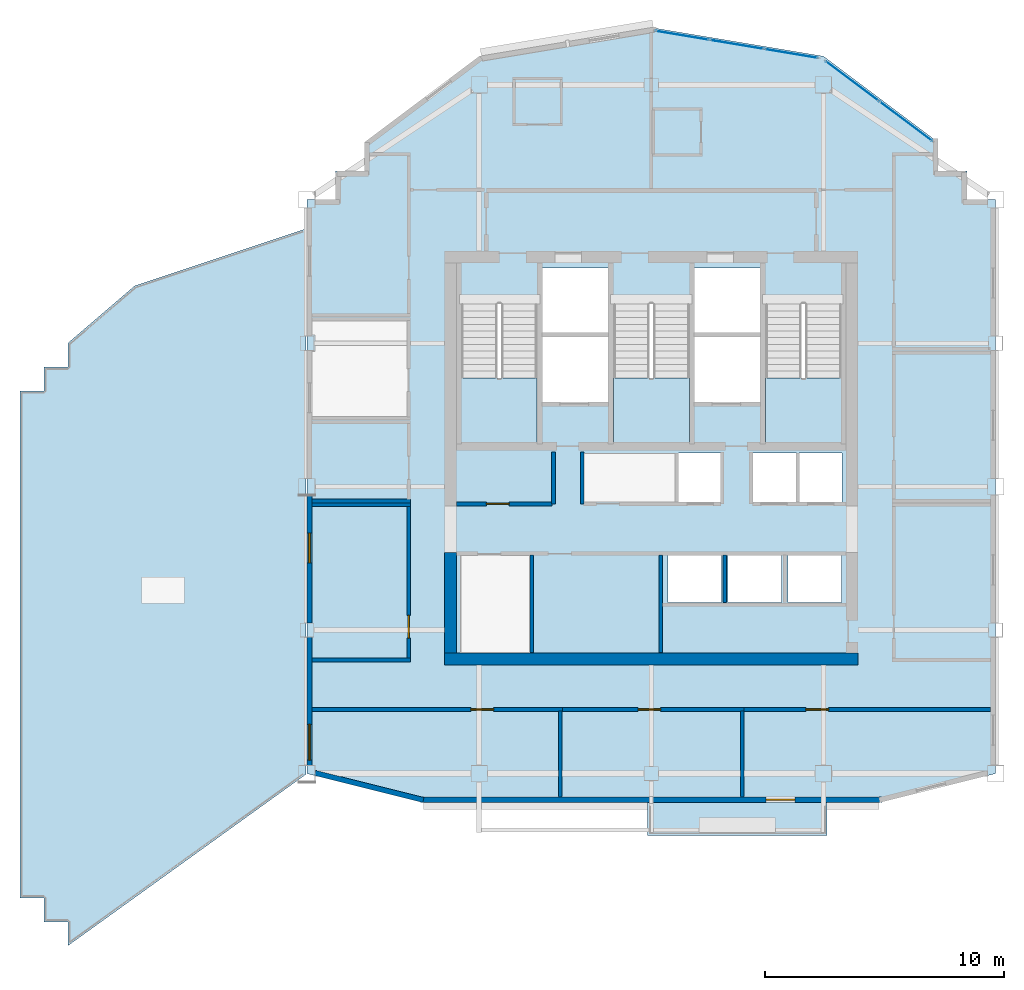
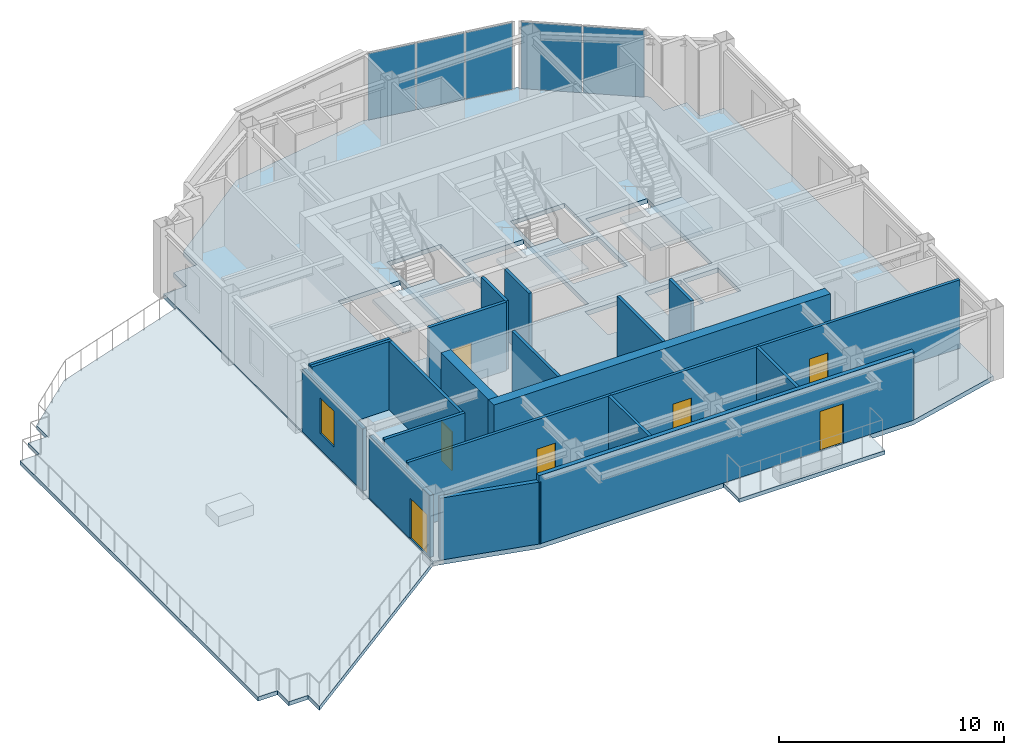
# One storey, part 7 of 12: 21 walls, 7 doors, 6 slabs, 5 plates, 1 window, 8 openings, 5 elements without a shape of their own.
"""IFC4 building model written with IfcOpenShell, lengths in metres."""

from ifc_helpers import new_model, si_unit, direction, frame, frame_2d, origin, origin_2d, place, context, subcontext, project, spatial, polyline, rectangle, outline, extrude, material, layer, layer_set, type_object, element, fill, aggregate, save


model = new_model("IFC4")

# Units and contexts
model_context = context("Model", 3, precision=1e-05, world=origin(), true_north=direction((0.0, 1.0)))
body_context = subcontext(model_context, "Body", "Model", "MODEL_VIEW")
ifc_project = project(units=[si_unit("LENGTHUNIT", "METRE"), si_unit("AREAUNIT", "SQUARE_METRE"), si_unit("VOLUMEUNIT", "CUBIC_METRE"), si_unit("PLANEANGLEUNIT", "RADIAN"), si_unit("MASSUNIT", "GRAM", prefix="KILO")], contexts=[model_context])

# Site, building, storey
site_placement = place(None, origin())
site = spatial("IfcSite", under=ifc_project, at=site_placement, CompositionType="ELEMENT")
building_placement = place(site_placement, origin())
building = spatial("IfcBuilding", under=site, at=building_placement, Name="Haolan Belvedere Tower", CompositionType="ELEMENT")
storey_placement = place(building_placement, frame((0.0, 0.0, 282.199951171875)))
storey = spatial("IfcBuildingStorey", under=building, at=storey_placement, Name="L71", CompositionType="ELEMENT", Elevation=282.199951171875)

# Curtain wall, plates
ifc_material_1 = material(Name="Anodised champagne-silver aluminium 6063-T6 and Low-E glass", Category="aluminium")
ifc_layer_1 = layer(ifc_material_1, 0.14501953125, Name="Anodised champagne-silver aluminium 6063-T6 and Low-E glass")
ifc_layer_set_1 = layer_set([ifc_layer_1], Name="Anodised champagne-silver aluminium 6063-T6 and Low-E glass")
curtain_wall_type = type_object("IfcCurtainWallType", Name="CW-SYS-05", PredefinedType="NOTDEFINED", material=ifc_layer_set_1)
curtain_wall_1_placement = place(storey_placement, origin())
curtain_wall_1 = element("IfcCurtainWall", 1, at=curtain_wall_1_placement, inside=storey, type_object=curtain_wall_type, Name="L71 CW-SYS-05 ribbon curtain wall 8.1", PredefinedType="NOTDEFINED")
ifc_material_2 = material(Name="Double silver Low-E laminated insulating glass", Category="glass")
ifc_layer_2 = layer(ifc_material_2, 0.02197265625, Name="Double silver Low-E laminated insulating glass")
ifc_layer_set_2 = layer_set([ifc_layer_2], Name="Double silver Low-E laminated insulating glass")
plate_type = type_object("IfcPlateType", Name="CW-SYS-05-PNL", PredefinedType="CURTAIN_PANEL", material=ifc_layer_set_2)
plate_1_placement = place(storey_placement, frame((49.03955078125, 48.8828125, 0.050048828125), z_axis=(0.0, 0.0, 1.0), x_axis=(-0.799997871638, 0.600002837806, 0.0)))
plate_1 = element("IfcPlate", 2, at=plate_1_placement, type_object=plate_type, Name="CW-05 panel 1.1", PredefinedType="CURTAIN_PANEL", context=body_context, shape_type="SweptSolid", body=[
    extrude(rectangle(XDim=2.738037109375, YDim=0.02197265625, at=origin_2d()), origin(), (0.0, 0.0, 1.0), 3.6201171875),
])
plate_2_placement = place(storey_placement, frame((46.805908203125, 50.55810546875, 0.050048828125), z_axis=(0.0, 0.0, 1.0), x_axis=(-0.799997871638, 0.600002837806, 0.0)))
plate_2 = element("IfcPlate", 3, at=plate_2_placement, type_object=plate_type, Name="CW-05 panel 2.1", PredefinedType="CURTAIN_PANEL", context=body_context, shape_type="SweptSolid", body=[
    extrude(rectangle(XDim=2.738037109375, YDim=0.02197265625, at=origin_2d()), origin(), (0.0, 0.0, 1.0), 3.6201171875),
])
aggregate(curtain_wall_1, [plate_1, plate_2])

curtain_wall_2_placement = place(storey_placement, origin())
curtain_wall_2 = element("IfcCurtainWall", 4, at=curtain_wall_2_placement, inside=storey, type_object=curtain_wall_type, Name="L71 CW-SYS-05 ribbon curtain wall 9.1", PredefinedType="NOTDEFINED")
plate_3_placement = place(storey_placement, frame((44.257568359375, 51.712158203125, 0.050048828125), z_axis=(0.0, 0.0, 1.0), x_axis=(-0.98639276122, 0.164405962825, 0.0)))
plate_3 = element("IfcPlate", 5, at=plate_3_placement, type_object=plate_type, Name="CW-05 panel 1.1", PredefinedType="CURTAIN_PANEL", context=body_context, shape_type="SweptSolid", body=[
    extrude(rectangle(XDim=2.24365234375, YDim=0.02197265625, at=origin_2d()), origin(), (0.0, 0.0, 1.0), 3.6201171875),
])
plate_4_placement = place(storey_placement, frame((41.977783203125, 52.09228515625, 0.050048828125), z_axis=(0.0, 0.0, 1.0), x_axis=(-0.98639276122, 0.164405962825, 0.0)))
plate_4 = element("IfcPlate", 6, at=plate_4_placement, type_object=plate_type, Name="CW-05 panel 2.1", PredefinedType="CURTAIN_PANEL", context=body_context, shape_type="SweptSolid", body=[
    extrude(rectangle(XDim=2.270751953125, YDim=0.02197265625, at=origin_2d()), origin(), (0.0, 0.0, 1.0), 3.6201171875),
])
plate_5_placement = place(storey_placement, frame((39.697998046875, 52.47216796875, 0.050048828125), z_axis=(0.0, 0.0, 1.0), x_axis=(-0.98639276122, 0.164405962825, 0.0)))
plate_5 = element("IfcPlate", 7, at=plate_5_placement, type_object=plate_type, Name="CW-05 panel 3.1", PredefinedType="CURTAIN_PANEL", context=body_context, shape_type="SweptSolid", body=[
    extrude(rectangle(XDim=2.24365234375, YDim=0.02197265625, at=origin_2d()), origin(), (0.0, 0.0, 1.0), 3.6201171875),
])
aggregate(curtain_wall_2, [plate_3, plate_4, plate_5])

# Slabs
ifc_material_3 = material(Name="Concrete C40/50", Category="concrete")
ifc_layer_3 = layer(ifc_material_3, 0.2099609375, Name="Concrete C40/50")
ifc_layer_set_3 = layer_set([ifc_layer_3], Name="Concrete C40/50")
slab_type_1 = type_object("IfcSlabType", Name="SL-BAL-210", PredefinedType="FLOOR", material=ifc_layer_set_3)
slab_1_placement = place(storey_placement, frame((0.0, 0.0, -0.22998046875)))
element("IfcSlab", 8, at=slab_1_placement, inside=storey, type_object=slab_type_1, Name="L71 structural tree-planter balcony slab BAL-L71-S1", PredefinedType="FLOOR", context=body_context, shape_type="SweptSolid", body=[
    extrude(outline(polyline([(38.25, 19.02001953125), (45.75, 19.02001953125), (45.75, 20.39990234375), (38.25, 20.39990234375), (38.25, 19.02001953125)])), origin(), (0.0, 0.0, 1.0), 0.2099609375),
])
ifc_layer_4 = layer(ifc_material_3, 0.25, Name="Concrete C40/50")
ifc_layer_set_4 = layer_set([ifc_layer_4], Name="Concrete C40/50")
slab_type_2 = type_object("IfcSlabType", Name="SL-FLR-250", PredefinedType="FLOOR", material=ifc_layer_set_4)
slab_2_placement = place(storey_placement, frame((0.0, 0.0, -0.25)))
element("IfcSlab", 9, at=slab_2_placement, inside=storey, type_object=slab_type_2, Name="L71 structural floor slab", PredefinedType="FLOOR", context=body_context, shape_type="SweptSolid", body=[
    extrude(outline(polyline([(24.0, 21.60009765625), (28.800048828125, 20.39990234375), (48.0, 20.39990234375), (52.800048828125, 21.60009765625), (52.800048828125, 45.60009765625), (52.800048828125, 45.60009765625), (51.60009765625, 45.60009765625), (51.60009765625, 46.800048828125), (50.39990234375, 46.800048828125), (50.39990234375, 48.0), (45.60009765625, 51.60009765625), (38.39990234375, 52.800048828125), (31.199951171875, 51.60009765625), (26.39990234375, 48.0), (26.39990234375, 46.800048828125), (25.199951171875, 46.800048828125), (25.199951171875, 45.60009765625), (24.0, 45.60009765625), (24.0, 45.60009765625), (24.0, 21.60009765625)]), holes=[polyline([(30.449951171875, 41.22998046875), (30.449951171875, 35.449951171875), (33.6298828125, 35.449951171875), (33.6298828125, 41.22998046875), (30.449951171875, 41.22998046875)]), polyline([(36.81005859375, 41.22998046875), (36.81005859375, 35.449951171875), (39.989990234375, 35.449951171875), (39.989990234375, 41.22998046875), (36.81005859375, 41.22998046875)]), polyline([(43.169921875, 41.22998046875), (43.169921875, 35.449951171875), (46.35009765625, 35.449951171875), (46.35009765625, 41.22998046875), (43.169921875, 41.22998046875)]), polyline([(33.830078125, 40.050048828125), (36.610107421875, 40.050048828125), (36.610107421875, 42.75), (33.830078125, 42.75), (33.830078125, 40.050048828125)]), polyline([(33.830078125, 37.14990234375), (36.610107421875, 37.14990234375), (36.610107421875, 39.85009765625), (33.830078125, 39.85009765625), (33.830078125, 37.14990234375)]), polyline([(40.18994140625, 40.050048828125), (42.969970703125, 40.050048828125), (42.969970703125, 42.75), (40.18994140625, 42.75), (40.18994140625, 40.050048828125)]), polyline([(40.18994140625, 37.14990234375), (42.969970703125, 37.14990234375), (42.969970703125, 39.85009765625), (40.18994140625, 39.85009765625), (40.18994140625, 37.14990234375)]), polyline([(39.5400390625, 32.949951171875), (41.389892578125, 32.949951171875), (41.389892578125, 35.0), (39.5400390625, 35.0), (39.5400390625, 32.949951171875)]), polyline([(42.6201171875, 32.949951171875), (44.469970703125, 32.949951171875), (44.469970703125, 35.0), (42.6201171875, 35.0), (42.6201171875, 32.949951171875)]), polyline([(44.580078125, 32.949951171875), (46.3798828125, 32.949951171875), (46.3798828125, 35.0), (44.580078125, 35.0), (44.580078125, 32.949951171875)]), polyline([(39.10009765625, 28.75), (41.340087890625, 28.75), (41.340087890625, 30.75), (39.10009765625, 30.75), (39.10009765625, 28.75)]), polyline([(41.610107421875, 28.75), (43.85009765625, 28.75), (43.85009765625, 30.75), (41.610107421875, 30.75), (41.610107421875, 28.75)]), polyline([(44.1201171875, 28.75), (46.360107421875, 28.75), (46.360107421875, 30.75), (44.1201171875, 30.75), (44.1201171875, 28.75)])]), origin(), (0.0, 0.0, 1.0), 0.25),
])

# Stair, slab
stair_type = type_object("IfcStairType", Name="STR-DL-24R-163", PredefinedType="HALF_TURN_STAIR", material=ifc_material_3)
stair_1_placement = place(storey_placement, origin())
stair_1 = element("IfcStair", 10, at=stair_1_placement, inside=storey, type_object=stair_type, Name="L71 Smokeproof Core Exit Stair ST1", PredefinedType="HALF_TURN_STAIR")
ifc_layer_5 = layer(ifc_material_3, 0.199951171875, Name="Concrete C40/50")
ifc_layer_set_5 = layer_set([ifc_layer_5], Name="Concrete C40/50")
slab_type_3 = type_object("IfcSlabType", Name="SL-LAND-200", PredefinedType="LANDING", material=ifc_layer_set_5)
slab_3_placement = place(storey_placement, frame((0.0, 0.0, 1.75)))
slab_3 = element("IfcSlab", 11, at=slab_3_placement, type_object=slab_type_3, Name="ST1 landing 1", PredefinedType="LANDING", context=body_context, shape_type="SweptSolid", body=[
    extrude(outline(polyline([(30.449951171875, 38.14990234375), (30.449951171875, 35.449951171875), (33.6298828125, 35.449951171875), (33.6298828125, 38.14990234375), (30.449951171875, 38.14990234375)])), origin(), (0.0, 0.0, 1.0), 0.199951171875),
])
aggregate(stair_1, [slab_3])

stair_2_placement = place(storey_placement, origin())
stair_2 = element("IfcStair", 12, at=stair_2_placement, inside=storey, type_object=stair_type, Name="L71 Smokeproof Core Exit Stair ST3", PredefinedType="HALF_TURN_STAIR")
slab_4_placement = place(storey_placement, frame((0.0, 0.0, 1.75)))
slab_4 = element("IfcSlab", 13, at=slab_4_placement, type_object=slab_type_3, Name="ST3 landing 1", PredefinedType="LANDING", context=body_context, shape_type="SweptSolid", body=[
    extrude(outline(polyline([(36.81005859375, 38.14990234375), (36.81005859375, 35.449951171875), (39.989990234375, 35.449951171875), (39.989990234375, 38.14990234375), (36.81005859375, 38.14990234375)])), origin(), (0.0, 0.0, 1.0), 0.199951171875),
])
aggregate(stair_2, [slab_4])

stair_3_placement = place(storey_placement, origin())
stair_3 = element("IfcStair", 14, at=stair_3_placement, inside=storey, type_object=stair_type, Name="L71 Smokeproof Core Exit Stair ST2", PredefinedType="HALF_TURN_STAIR")
slab_5_placement = place(storey_placement, frame((0.0, 0.0, 1.75)))
slab_5 = element("IfcSlab", 15, at=slab_5_placement, type_object=slab_type_3, Name="ST2 landing 1", PredefinedType="LANDING", context=body_context, shape_type="SweptSolid", body=[
    extrude(outline(polyline([(43.169921875, 38.14990234375), (43.169921875, 35.449951171875), (46.35009765625, 35.449951171875), (46.35009765625, 38.14990234375), (43.169921875, 38.14990234375)])), origin(), (0.0, 0.0, 1.0), 0.199951171875),
])
aggregate(stair_3, [slab_5])

# Slab
ifc_layer_6 = layer(ifc_material_3, 0.219970703125, Name="Concrete C40/50")
ifc_layer_set_6 = layer_set([ifc_layer_6], Name="Concrete C40/50")
slab_type_4 = type_object("IfcSlabType", Name="SL-TER-220", PredefinedType="FLOOR", material=ifc_layer_set_6)
slab_6_placement = place(storey_placement, frame((0.0, 0.0, -0.239990234375)))
element("IfcSlab", 16, at=slab_6_placement, inside=storey, type_object=slab_type_4, Name="L71 planted garden terrace slab 1", PredefinedType="FLOOR", context=body_context, shape_type="SweptSolid", body=[
    extrude(outline(polyline([(13.0, 16.396240234375), (13.0, 15.39990234375), (13.996337890625, 15.39990234375), (13.999755859375, 15.39990234375), (14.0, 15.396240234375), (14.0, 14.39990234375), (23.949951171875, 21.56396484375), (23.949951171875, 44.38330078125), (16.800048828125, 42.0), (14.0, 39.60009765625), (14.0, 38.603759765625), (13.999755859375, 38.60009765625), (13.996337890625, 38.60009765625), (13.0, 38.60009765625), (13.0, 37.603759765625), (12.999755859375, 37.60009765625), (12.996337890625, 37.60009765625), (12.0, 37.60009765625), (12.0, 16.39990234375), (12.996337890625, 16.39990234375), (12.999755859375, 16.39990234375), (13.0, 16.396240234375)])), origin(), (0.0, 0.0, 1.0), 0.219970703125),
])

# Walls
ifc_material_4 = material(Name="Concrete C50/60", Category="concrete")
ifc_layer_7 = layer(ifc_material_4, 0.5, Name="Concrete C50/60")
ifc_layer_set_7 = layer_set([ifc_layer_7], Name="Concrete C50/60")
wall_type_1 = type_object("IfcWallType", Name="WL-CORE-500", PredefinedType="SHEAR", material=ifc_layer_set_7)
wall_1_placement = place(storey_placement, frame((29.75, 26.39990234375, 0.0), z_axis=(0.0, 0.0, 1.0), x_axis=(1.0, 0.0, 0.0)))
element("IfcWall", 17, at=wall_1_placement, inside=storey, type_object=wall_type_1, Name="L71 central core south shear wall", PredefinedType="SHEAR", context=body_context, shape_type="SweptSolid", body=[
    extrude(rectangle(XDim=17.300048828125, YDim=0.5, at=frame_2d((8.64990234375, 0.0))), origin(), (0.0, 0.0, 1.0), 3.719970703125),
])
wall_2_placement = place(storey_placement, frame((30.0, 26.64990234375, 0.0), z_axis=(0.0, 0.0, 1.0), x_axis=(0.0, 1.0, 0.0)))
element("IfcWall", 18, at=wall_2_placement, inside=storey, type_object=wall_type_1, Name="L71 central core shear wall WS", PredefinedType="SHEAR", context=body_context, shape_type="SweptSolid", body=[
    extrude(rectangle(XDim=4.2001953125, YDim=0.5, at=frame_2d((2.10009765625, 0.0))), origin(), (0.0, 0.0, 1.0), 3.719970703125),
])

# Wall, opening, door
ifc_material_5 = material(Name="Precast concrete C40/50", Category="concrete")
ifc_layer_8 = layer(ifc_material_5, 0.219970703125, Name="Precast concrete C40/50")
ifc_layer_set_8 = layer_set([ifc_layer_8], Name="Precast concrete C40/50")
wall_type_2 = type_object("IfcWallType", Name="WL-EXT-220", PredefinedType="SOLIDWALL", material=ifc_layer_set_8)
wall_3_placement = place(storey_placement, frame((28.758544921875, 20.510009765625, 0.0), z_axis=(0.0, 0.0, 1.0), x_axis=(1.0, 0.0, 0.0)))
wall_3 = element("IfcWall", 19, at=wall_3_placement, inside=storey, type_object=wall_type_2, Name="L71 pale-metal exterior spandrel wall 1.1", PredefinedType="SOLIDWALL", context=body_context, shape_type="SweptSolid", body=[
    extrude(rectangle(XDim=19.282958984375, YDim=0.219970703125, at=frame_2d((9.6416015625, 0.0))), origin(), (0.0, 0.0, 1.0), 3.719970703125),
])
opening_1_placement = place(wall_3_placement, frame((15.641357421875, 0.0, 0.0), z_axis=(0.0, 0.0, 1.0), x_axis=(-1.0, 0.0, 0.0)))
opening_1 = element("IfcOpeningElement", 20, at=opening_1_placement, cuts=wall_3, Name="Opening BD-01", PredefinedType="OPENING", context=body_context, shape_type="SweptSolid", body=[
    extrude(rectangle(XDim=1.199951171875, YDim=2.14990234375, at=frame_2d((0.60009765625, 1.074951171875))), frame((0.0, 0.119873046875, 0.0), z_axis=(0.0, -1.0, 0.0), x_axis=(1.0, 0.0, 0.0)), (0.0, 0.0, 1.0), 0.239990234375),
])
ifc_material_6 = material(Name="Thermally broken pale-metal aluminium and Low-E glass", Category="aluminium")
door_type_1 = type_object("IfcDoorType", Name="DR-BAL-1200", OperationType="NOTDEFINED", PredefinedType="DOOR", material=ifc_material_6)
door_1_placement = place(opening_1_placement, origin())
door_1 = element("IfcDoor", 21, at=door_1_placement, inside=storey, type_object=door_type_1, Name="L71 tree-balcony access door 1", OperationType="SINGLE_SWING_LEFT", OverallHeight=2.14990234375, OverallWidth=1.199951171875, PredefinedType="DOOR", context=body_context, shape_type="SweptSolid", body=[
    extrude(rectangle(XDim=1.199951171875, YDim=2.14990234375, at=frame_2d((0.60009765625, 1.074951171875))), frame((0.0, 0.02490234375, 0.0), z_axis=(0.0, -1.0, 0.0), x_axis=(1.0, 0.0, 0.0)), (0.0, 0.0, 1.0), 0.050048828125),
])
fill(opening_1, door_1)

# Wall, opening, window
wall_4_placement = place(storey_placement, frame((24.110107421875, 33.258056640625, 0.0), z_axis=(0.0, 0.0, 1.0), x_axis=(0.0, -1.0, 0.0)))
wall_4 = element("IfcWall", 22, at=wall_4_placement, inside=storey, type_object=wall_type_2, Name="L71 pale-metal exterior spandrel wall 16.3", PredefinedType="SOLIDWALL", context=body_context, shape_type="SweptSolid", body=[
    extrude(rectangle(XDim=5.365966796875, YDim=0.219970703125, at=frame_2d((2.68310546875, 0.0))), origin(), (0.0, 0.0, 1.0), 3.364990234375),
])
opening_2_placement = place(wall_4_placement, frame((1.60009765625, 0.0, 0.85009765625)))
opening_2 = element("IfcOpeningElement", 23, at=opening_2_placement, cuts=wall_4, Name="Opening W-04", PredefinedType="OPENING", context=body_context, shape_type="SweptSolid", body=[
    extrude(rectangle(XDim=1.25, YDim=1.949951171875, at=frame_2d((0.625, 0.97509765625))), frame((0.0, 0.119873046875, 0.0), z_axis=(0.0, -1.0, 0.0), x_axis=(1.0, 0.0, 0.0)), (0.0, 0.0, 1.0), 0.239990234375),
])
ifc_material_7 = material(Name="Anodised aluminium 6063-T6 and Low-E glass", Category="aluminium")
window_type = type_object("IfcWindowType", Name="WN-DECO-Z4", PartitioningType="SINGLE_PANEL", PredefinedType="WINDOW", material=ifc_material_7)
window_placement = place(opening_2_placement, origin())
window = element("IfcWindow", 24, at=window_placement, inside=storey, type_object=window_type, Name="L71 Art Deco chevron window 1", OverallHeight=1.949951171875, OverallWidth=1.25, PartitioningType="SINGLE_PANEL", PredefinedType="WINDOW", context=body_context, shape_type="SweptSolid", body=[
    extrude(rectangle(XDim=1.25, YDim=1.949951171875, at=frame_2d((0.625, 0.97509765625))), frame((0.0, 0.030029296875, 0.0), z_axis=(0.0, -1.0, 0.0), x_axis=(1.0, 0.0, 0.0)), (0.0, 0.0, 1.0), 0.06005859375),
])
fill(opening_2, window)

# Wall, opening, door
wall_5_placement = place(storey_placement, frame((24.110107421875, 27.30810546875, 0.0), z_axis=(0.0, 0.0, 1.0), x_axis=(0.0, -1.0, 0.0)))
wall_5 = element("IfcWall", 25, at=wall_5_placement, inside=storey, type_object=wall_type_2, Name="L71 pale-metal exterior spandrel wall 16.4", PredefinedType="SOLIDWALL", context=body_context, shape_type="SweptSolid", body=[
    extrude(rectangle(XDim=5.3662109375, YDim=0.219970703125, at=frame_2d((2.68310546875, 0.0))), origin(), (0.0, 0.0, 1.0), 3.364990234375),
])
opening_3_placement = place(wall_5_placement, frame((5.14599609375, 0.0, 0.0), z_axis=(0.0, 0.0, 1.0), x_axis=(-1.0, 0.0, 0.0)))
opening_3 = element("IfcOpeningElement", 26, at=opening_3_placement, cuts=wall_5, Name="Opening TD-01", PredefinedType="OPENING", context=body_context, shape_type="SweptSolid", body=[
    extrude(rectangle(XDim=1.5, YDim=2.199951171875, at=frame_2d((0.75, 1.10009765625))), frame((0.0, 0.119873046875, 0.0), z_axis=(0.0, -1.0, 0.0), x_axis=(1.0, 0.0, 0.0)), (0.0, 0.0, 1.0), 0.239990234375),
])
door_type_2 = type_object("IfcDoorType", Name="DR-TER-1500", OperationType="DOUBLE_DOOR_SINGLE_SWING", PredefinedType="DOOR", material=ifc_material_6)
door_2_placement = place(opening_3_placement, origin())
door_2 = element("IfcDoor", 27, at=door_2_placement, inside=storey, type_object=door_type_2, Name="L71 garden terrace access door 1", OperationType="DOUBLE_DOOR_SINGLE_SWING", OverallHeight=2.199951171875, OverallWidth=1.5, PredefinedType="DOOR", context=body_context, shape_type="SweptSolid", body=[
    extrude(rectangle(XDim=1.5, YDim=2.199951171875, at=frame_2d((0.75, 1.10009765625))), frame((0.0, 0.02490234375, 0.0), z_axis=(0.0, -1.0, 0.0), x_axis=(1.0, 0.0, 0.0)), (0.0, 0.0, 1.0), 0.050048828125),
])
fill(opening_3, door_2)

# Walls
wall_6_placement = place(storey_placement, frame((24.342041015625, 21.6279296875, 0.0), z_axis=(0.0, 0.0, 1.0), x_axis=(0.970136341762, -0.242560257242, 0.0)))
element("IfcWall", 28, at=wall_6_placement, inside=storey, type_object=wall_type_2, Name="L71 pale-metal exterior spandrel wall 17.1", PredefinedType="SOLIDWALL", context=body_context, shape_type="SweptSolid", body=[
    extrude(rectangle(XDim=4.664306640625, YDim=0.219970703125, at=frame_2d((2.33203125, 0.0))), origin(), (0.0, 0.0, 1.0), 3.364990234375),
])
ifc_material_8 = material(Name="Double gypsum acoustic stud partition", Category="masonry")
ifc_layer_9 = layer(ifc_material_8, 0.14990234375, Name="Double gypsum acoustic stud partition")
ifc_layer_set_9 = layer_set([ifc_layer_9], Name="Double gypsum acoustic stud partition")
wall_type_3 = type_object("IfcWallType", Name="WL-PART-150", PredefinedType="PARTITIONING", material=ifc_layer_set_9)
wall_7_placement = place(storey_placement, frame((33.39990234375, 26.659912109375, 0.0), z_axis=(0.0, 0.0, 1.0), x_axis=(0.0, 1.0, 0.0)))
element("IfcWall", 29, at=wall_7_placement, inside=storey, type_object=wall_type_3, Name="L71 interior partition IW-L71-DIV-REUSE-PM", PredefinedType="PARTITIONING", context=body_context, shape_type="SweptSolid", body=[
    extrude(rectangle(XDim=4.0751953125, YDim=0.14990234375, at=frame_2d((2.03759765625, 0.0))), origin(), (0.0, 0.0, 1.0), 3.719970703125),
])
for number, where, z_axis, x_axis, name in (
    (30, (24.2119140625, 33.0, 0.0), (0.0, 0.0, 1.0), (1.0, 0.0, 0.0), "L71 interior partition IW-L71-AWC-S"),
    (31, (24.2119140625, 32.840087890625, 0.0), (0.0, 0.0, 1.0), (1.0, 0.0, 0.0), "L71 interior partition IW-L71-PKTW-N"),
    (32, (24.2119140625, 26.35009765625, 0.0), (0.0, 0.0, 1.0), (1.0, 0.0, 0.0), "L71 interior partition IW-L71-PKTW-S"),
):
    element("IfcWall", number, at=place(storey_placement, frame(where, z_axis=z_axis, x_axis=x_axis)), inside=storey, type_object=wall_type_3, Name=name, PredefinedType="PARTITIONING", context=body_context, shape_type="SweptSolid", body=[
        extrude(rectangle(XDim=4.128173828125, YDim=0.14990234375, at=frame_2d((2.06396484375, 0.0))), origin(), (0.0, 0.0, 1.0), 3.719970703125),
    ])

# Wall, opening, door
wall_8_placement = place(storey_placement, frame((28.260009765625, 26.409912109375, 0.0), z_axis=(0.0, 0.0, 1.0), x_axis=(0.0, 1.0, 0.0)))
wall_8 = element("IfcWall", 33, at=wall_8_placement, inside=storey, type_object=wall_type_3, Name="L71 interior partition IW-L71-PKTW-E", PredefinedType="PARTITIONING", context=body_context, shape_type="SweptSolid", body=[
    extrude(rectangle(XDim=6.3701171875, YDim=0.14990234375, at=frame_2d((3.18505859375, 0.0))), origin(), (0.0, 0.0, 1.0), 3.719970703125),
])
opening_4_placement = place(wall_8_placement, frame((1.81005859375, 0.0, 0.0), z_axis=(0.0, 0.0, 1.0), x_axis=(-1.0, 0.0, 0.0)))
opening_4 = element("IfcOpeningElement", 34, at=opening_4_placement, cuts=wall_8, Name="Opening ID-03", PredefinedType="OPENING", context=body_context, shape_type="SweptSolid", body=[
    extrude(rectangle(XDim=0.949951171875, YDim=2.1201171875, at=frame_2d((0.47509765625, 1.06005859375))), frame((0.0, 0.0849609375, 0.0), z_axis=(0.0, -1.0, 0.0), x_axis=(1.0, 0.0, 0.0)), (0.0, 0.0, 1.0), 0.169921875),
])
ifc_material_9 = material(Name="Painted solid-core timber", Category="wood")
door_type_3 = type_object("IfcDoorType", Name="DR-INT-950", OperationType="NOTDEFINED", PredefinedType="DOOR", material=ifc_material_9)
door_3_placement = place(opening_4_placement, origin())
door_3 = element("IfcDoor", 35, at=door_3_placement, inside=storey, type_object=door_type_3, Name="L71 door ID-L71-PKTW", OperationType="SINGLE_SWING_LEFT", OverallHeight=2.1201171875, OverallWidth=0.949951171875, PredefinedType="DOOR", context=body_context, shape_type="SweptSolid", body=[
    extrude(rectangle(XDim=0.949951171875, YDim=2.1201171875, at=frame_2d((0.47509765625, 1.06005859375))), frame((0.0, 0.02490234375, 0.0), z_axis=(0.0, -1.0, 0.0), x_axis=(1.0, 0.0, 0.0)), (0.0, 0.0, 1.0), 0.050048828125),
])
fill(opening_4, door_3)

wall_9_placement = place(storey_placement, frame((24.2119140625, 24.280029296875, 0.0), z_axis=(0.0, 0.0, 1.0), x_axis=(1.0, 0.0, 0.0)))
wall_9 = element("IfcWall", 36, at=wall_9_placement, inside=storey, type_object=wall_type_3, Name="L71 interior partition IW-L71-KS1-N", PredefinedType="PARTITIONING", context=body_context, shape_type="SweptSolid", body=[
    extrude(rectangle(XDim=10.468017578125, YDim=0.14990234375, at=frame_2d((5.23388671875, 0.0))), origin(), (0.0, 0.0, 1.0), 3.719970703125),
])
opening_5_placement = place(wall_9_placement, frame((7.593017578125, 0.0, 0.0), z_axis=(0.0, 0.0, 1.0), x_axis=(-1.0, 0.0, 0.0)))
opening_5 = element("IfcOpeningElement", 37, at=opening_5_placement, cuts=wall_9, Name="Opening ID-03", PredefinedType="OPENING", context=body_context, shape_type="SweptSolid", body=[
    extrude(rectangle(XDim=0.949951171875, YDim=2.1201171875, at=frame_2d((0.47509765625, 1.06005859375))), frame((0.0, 0.0849609375, 0.0), z_axis=(0.0, -1.0, 0.0), x_axis=(1.0, 0.0, 0.0)), (0.0, 0.0, 1.0), 0.169921875),
])
door_4_placement = place(opening_5_placement, origin())
door_4 = element("IfcDoor", 38, at=door_4_placement, inside=storey, type_object=door_type_3, Name="L71 door ID-L71-KS1", OperationType="SINGLE_SWING_LEFT", OverallHeight=2.1201171875, OverallWidth=0.949951171875, PredefinedType="DOOR", context=body_context, shape_type="SweptSolid", body=[
    extrude(rectangle(XDim=0.949951171875, YDim=2.1201171875, at=frame_2d((0.47509765625, 1.06005859375))), frame((0.0, 0.02490234375, 0.0), z_axis=(0.0, -1.0, 0.0), x_axis=(1.0, 0.0, 0.0)), (0.0, 0.0, 1.0), 0.050048828125),
])
fill(opening_5, door_4)

# Wall
wall_10_placement = place(storey_placement, frame((34.60009765625, 20.612060546875, 0.0), z_axis=(0.0, 0.0, 1.0), x_axis=(0.0, 1.0, 0.0)))
element("IfcWall", 39, at=wall_10_placement, inside=storey, type_object=wall_type_3, Name="L71 interior partition IW-L71-KS1-E", PredefinedType="PARTITIONING", context=body_context, shape_type="SweptSolid", body=[
    extrude(rectangle(XDim=3.60791015625, YDim=0.14990234375, at=frame_2d((1.803955078125, 0.0))), origin(), (0.0, 0.0, 1.0), 3.719970703125),
])

# Wall, opening, door
wall_11_placement = place(storey_placement, frame((34.681884765625, 24.280029296875, 0.0), z_axis=(0.0, 0.0, 1.0), x_axis=(1.0, 0.0, 0.0)))
wall_11 = element("IfcWall", 40, at=wall_11_placement, inside=storey, type_object=wall_type_3, Name="L71 interior partition IW-L71-KS2-N", PredefinedType="PARTITIONING", context=body_context, shape_type="SweptSolid", body=[
    extrude(rectangle(XDim=7.59814453125, YDim=0.14990234375, at=frame_2d((3.799072265625, 0.0))), origin(), (0.0, 0.0, 1.0), 3.719970703125),
])
opening_6_placement = place(wall_11_placement, frame((4.113037109375, 0.0, 0.0), z_axis=(0.0, 0.0, 1.0), x_axis=(-1.0, 0.0, 0.0)))
opening_6 = element("IfcOpeningElement", 41, at=opening_6_placement, cuts=wall_11, Name="Opening ID-03", PredefinedType="OPENING", context=body_context, shape_type="SweptSolid", body=[
    extrude(rectangle(XDim=0.949951171875, YDim=2.1201171875, at=frame_2d((0.47509765625, 1.06005859375))), frame((0.0, 0.0849609375, 0.0), z_axis=(0.0, -1.0, 0.0), x_axis=(1.0, 0.0, 0.0)), (0.0, 0.0, 1.0), 0.169921875),
])
door_5_placement = place(opening_6_placement, origin())
door_5 = element("IfcDoor", 42, at=door_5_placement, inside=storey, type_object=door_type_3, Name="L71 door ID-L71-KS2", OperationType="SINGLE_SWING_RIGHT", OverallHeight=2.1201171875, OverallWidth=0.949951171875, PredefinedType="DOOR", context=body_context, shape_type="SweptSolid", body=[
    extrude(rectangle(XDim=0.949951171875, YDim=2.1201171875, at=frame_2d((0.47509765625, 1.06005859375))), frame((0.0, 0.02490234375, 0.0), z_axis=(0.0, -1.0, 0.0), x_axis=(1.0, 0.0, 0.0)), (0.0, 0.0, 1.0), 0.050048828125),
])
fill(opening_6, door_5)

# Wall
wall_12_placement = place(storey_placement, frame((42.199951171875, 20.612060546875, 0.0), z_axis=(0.0, 0.0, 1.0), x_axis=(0.0, 1.0, 0.0)))
element("IfcWall", 43, at=wall_12_placement, inside=storey, type_object=wall_type_3, Name="L71 interior partition IW-L71-KS2-E", PredefinedType="PARTITIONING", context=body_context, shape_type="SweptSolid", body=[
    extrude(rectangle(XDim=3.60791015625, YDim=0.14990234375, at=frame_2d((1.803955078125, 0.0))), origin(), (0.0, 0.0, 1.0), 3.719970703125),
])

# Wall, opening, door
wall_13_placement = place(storey_placement, frame((42.281982421875, 24.280029296875, 0.0), z_axis=(0.0, 0.0, 1.0), x_axis=(1.0, 0.0, 0.0)))
wall_13 = element("IfcWall", 44, at=wall_13_placement, inside=storey, type_object=wall_type_3, Name="L71 interior partition IW-L71-KS3-N", PredefinedType="PARTITIONING", context=body_context, shape_type="SweptSolid", body=[
    extrude(rectangle(XDim=10.305908203125, YDim=0.14990234375, at=frame_2d((5.15283203125, 0.0))), origin(), (0.0, 0.0, 1.0), 3.719970703125),
])
opening_7_placement = place(wall_13_placement, frame((3.532958984375, 0.0, 0.0), z_axis=(0.0, 0.0, 1.0), x_axis=(-1.0, 0.0, 0.0)))
opening_7 = element("IfcOpeningElement", 45, at=opening_7_placement, cuts=wall_13, Name="Opening ID-03", PredefinedType="OPENING", context=body_context, shape_type="SweptSolid", body=[
    extrude(rectangle(XDim=0.949951171875, YDim=2.1201171875, at=frame_2d((0.47509765625, 1.06005859375))), frame((0.0, 0.0849609375, 0.0), z_axis=(0.0, -1.0, 0.0), x_axis=(1.0, 0.0, 0.0)), (0.0, 0.0, 1.0), 0.169921875),
])
door_6_placement = place(opening_7_placement, origin())
door_6 = element("IfcDoor", 46, at=door_6_placement, inside=storey, type_object=door_type_3, Name="L71 door ID-L71-KS3", OperationType="SINGLE_SWING_LEFT", OverallHeight=2.1201171875, OverallWidth=0.949951171875, PredefinedType="DOOR", context=body_context, shape_type="SweptSolid", body=[
    extrude(rectangle(XDim=0.949951171875, YDim=2.1201171875, at=frame_2d((0.47509765625, 1.06005859375))), frame((0.0, 0.02490234375, 0.0), z_axis=(0.0, -1.0, 0.0), x_axis=(1.0, 0.0, 0.0)), (0.0, 0.0, 1.0), 0.050048828125),
])
fill(opening_7, door_6)

# Walls
ifc_material_10 = material(Name="Gypsum fire shaftwall assembly", Category="masonry")
ifc_layer_10 = layer(ifc_material_10, 0.1650390625, Name="Gypsum fire shaftwall assembly")
ifc_layer_set_10 = layer_set([ifc_layer_10], Name="Gypsum fire shaftwall assembly")
wall_type_4 = type_object("IfcWallType", Name="WL-SHAFT-160", PredefinedType="SOLIDWALL", material=ifc_layer_set_10)
for number, where, z_axis, x_axis, name in (
    (47, (34.31005859375, 32.8798828125, 0.0), (0.0, 0.0, 1.0), (0.0, 1.0, 0.0), "L71 interior partition IW-L71-SVP-W-SV1"),
    (48, (35.510009765625, 32.8798828125, 0.0), (0.0, 0.0, 1.0), (0.0, 1.0, 0.0), "L71 interior partition IW-L71-SVP-E-SV1"),
):
    element("IfcWall", number, at=place(storey_placement, frame(where, z_axis=z_axis, x_axis=x_axis)), inside=storey, type_object=wall_type_4, Name=name, PredefinedType="SOLIDWALL", context=body_context, shape_type="SweptSolid", body=[
        extrude(rectangle(XDim=2.170166015625, YDim=0.14990234375, at=frame_2d((1.0849609375, 0.0))), origin(), (0.0, 0.0, 1.0), 3.719970703125),
    ])

# Wall, opening, door
wall_14_placement = place(storey_placement, frame((30.25, 32.8798828125, 0.0), z_axis=(0.0, 0.0, 1.0), x_axis=(1.0, 0.0, 0.0)))
wall_14 = element("IfcWall", 49, at=wall_14_placement, inside=storey, type_object=wall_type_4, Name="L71 interior partition IW-L71-ROW-PN1", PredefinedType="SOLIDWALL", context=body_context, shape_type="SweptSolid", body=[
    extrude(rectangle(XDim=4.0, YDim=0.159912109375, at=frame_2d((2.0, 0.0))), origin(), (0.0, 0.0, 1.0), 3.719970703125),
])
opening_8_placement = place(wall_14_placement, frame((2.199951171875, 0.0, 0.0), z_axis=(0.0, 0.0, 1.0), x_axis=(-1.0, 0.0, 0.0)))
opening_8 = element("IfcOpeningElement", 50, at=opening_8_placement, cuts=wall_14, Name="Opening ID-03", PredefinedType="OPENING", context=body_context, shape_type="SweptSolid", body=[
    extrude(rectangle(XDim=0.949951171875, YDim=2.1201171875, at=frame_2d((0.47509765625, 1.06005859375))), frame((0.0, 0.08984375, 0.0), z_axis=(0.0, -1.0, 0.0), x_axis=(1.0, 0.0, 0.0)), (0.0, 0.0, 1.0), 0.179931640625),
])
door_7_placement = place(opening_8_placement, origin())
door_7 = element("IfcDoor", 51, at=door_7_placement, inside=storey, type_object=door_type_3, Name="L71 door ID-L71-CD-RPLW", OperationType="SINGLE_SWING_LEFT", OverallHeight=2.1201171875, OverallWidth=0.949951171875, PredefinedType="DOOR", context=body_context, shape_type="SweptSolid", body=[
    extrude(rectangle(XDim=0.949951171875, YDim=2.1201171875, at=frame_2d((0.47509765625, 1.06005859375))), frame((0.0, 0.02490234375, 0.0), z_axis=(0.0, -1.0, 0.0), x_axis=(1.0, 0.0, 0.0)), (0.0, 0.0, 1.0), 0.050048828125),
])
fill(opening_8, door_7)

# Walls
wall_15_placement = place(storey_placement, frame((38.800048828125, 26.659912109375, 0.0), z_axis=(0.0, 0.0, 1.0), x_axis=(0.0, 1.0, 0.0)))
element("IfcWall", 52, at=wall_15_placement, inside=storey, type_object=wall_type_4, Name="L71 interior partition IW-L71-DIV-PM-OB", PredefinedType="SOLIDWALL", context=body_context, shape_type="SweptSolid", body=[
    extrude(rectangle(XDim=4.0751953125, YDim=0.14990234375, at=frame_2d((2.03759765625, 0.0))), origin(), (0.0, 0.0, 1.0), 3.719970703125),
])
wall_16_placement = place(storey_placement, frame((41.469970703125, 28.75, 0.0), z_axis=(0.0, 0.0, 1.0), x_axis=(0.0, 1.0, 0.0)))
element("IfcWall", 53, at=wall_16_placement, inside=storey, type_object=wall_type_4, Name="L71 interior partition IW-L71-DIV-OB1", PredefinedType="SOLIDWALL", context=body_context, shape_type="SweptSolid", body=[
    extrude(rectangle(XDim=1.985107421875, YDim=0.14990234375, at=frame_2d((0.99267578125, 0.0))), origin(), (0.0, 0.0, 1.0), 3.719970703125),
])

save(model, "model.ifc")
